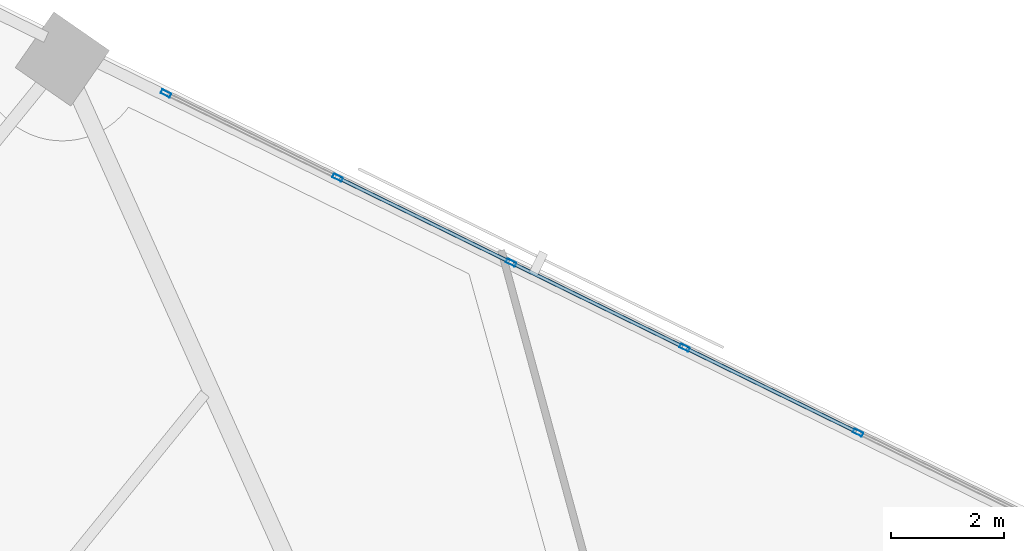
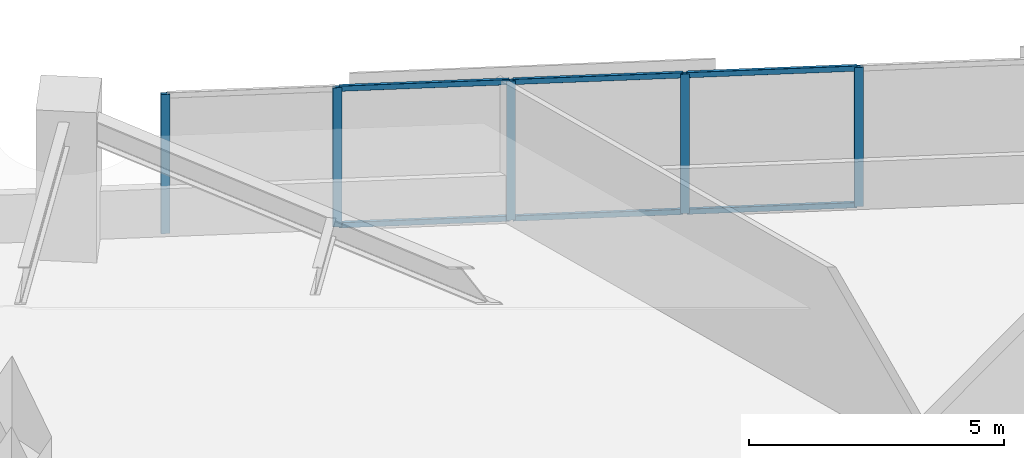
# One storey, part 10 of 18: 11 members, 1 element without a shape of its own.
"""IFC4 building model written with IfcOpenShell, lengths in metres."""

from ifc_helpers import new_model, si_unit, direction, frame, origin, origin_2d, place, context, subcontext, project, spatial, hollow_rectangle, extrude, material, material_profile, profile_set, type_object, element, aggregate, save


model = new_model("IFC4")

# Units and contexts
model_context = context("Model", 3, precision=1e-05, world=origin(), true_north=direction((0.0, 1.0)))
body_context = subcontext(model_context, "Body", "Model", "MODEL_VIEW")
ifc_project = project(units=[si_unit("LENGTHUNIT", "METRE"), si_unit("AREAUNIT", "SQUARE_METRE"), si_unit("VOLUMEUNIT", "CUBIC_METRE"), si_unit("PLANEANGLEUNIT", "RADIAN"), si_unit("MASSUNIT", "GRAM", prefix="KILO")], contexts=[model_context])

# Site, building, storey
site_placement = place(None, origin())
site = spatial("IfcSite", under=ifc_project, at=site_placement, CompositionType="ELEMENT")
building_placement = place(site_placement, origin())
building = spatial("IfcBuilding", under=site, at=building_placement, Name="Narakoshi Arena Tower", CompositionType="ELEMENT")
storey_placement = place(building_placement, frame((0.0, 0.0, 110.10009765625)))
storey = spatial("IfcBuildingStorey", under=building, at=storey_placement, Name="L29", CompositionType="ELEMENT", Elevation=110.10009765625)

# Curtain wall, members
ifc_material = material(Name="Anodised bronze aluminium 6063-T6", Category="aluminium")
curtain_wall_type = type_object("IfcCurtainWallType", Name="CW-HYP-LOW", PredefinedType="NOTDEFINED", material=ifc_material)
curtain_wall_placement = place(storey_placement, origin())
curtain_wall = element("IfcCurtainWall", 1, at=curtain_wall_placement, inside=storey, type_object=curtain_wall_type, Name="L29 Folded Hypotenuse Curtain Wall 2-1", PredefinedType="NOTDEFINED")
ifc_material_profile_1 = material_profile(ifc_material, hollow_rectangle(XDim=0.074951171875, YDim=0.179931640625, WallThickness=0.00390625, OuterFilletRadius=0.0048828125, at=origin_2d()), Name="MUL180x75x4")
ifc_profile_set_1 = profile_set([ifc_material_profile_1], Name="Anodised bronze aluminium 6063-T6")
member_type_1 = type_object("IfcMemberType", Name="MEM-MUL-180", PredefinedType="MULLION", material=ifc_profile_set_1)
member_1_placement = place(storey_placement, frame((78.41259765625, 67.01611328125, 0.0), z_axis=(0.0, 0.0, 1.0), x_axis=(-0.440004510198, -0.89799556291, 0.0)))
member_1 = element("IfcMember", 2, at=member_1_placement, type_object=member_type_1, Name="CW-01 mullion 4", PredefinedType="MULLION", context=body_context, shape_type="SweptSolid", body=[
    extrude(hollow_rectangle(XDim=0.074951171875, YDim=0.179931640625, WallThickness=0.00390625, OuterFilletRadius=0.0048828125, at=origin_2d()), origin(), (0.0, 0.0, 1.0), 3.33984375),
])
member_2_placement = place(storey_placement, frame((75.33935546875, 68.52197265625, 0.0), z_axis=(0.0, 0.0, 1.0), x_axis=(-0.440004510198, -0.89799556291, 0.0)))
member_2 = element("IfcMember", 3, at=member_2_placement, type_object=member_type_1, Name="CW-01 mullion 5", PredefinedType="MULLION", context=body_context, shape_type="SweptSolid", body=[
    extrude(hollow_rectangle(XDim=0.074951171875, YDim=0.179931640625, WallThickness=0.00390625, OuterFilletRadius=0.0048828125, at=origin_2d()), origin(), (0.0, 0.0, 1.0), 3.33984375),
])
member_3_placement = place(storey_placement, frame((72.26611328125, 70.028076171875, 0.0), z_axis=(0.0, 0.0, 1.0), x_axis=(-0.440004510198, -0.89799556291, 0.0)))
member_3 = element("IfcMember", 4, at=member_3_placement, type_object=member_type_1, Name="CW-01 mullion 6", PredefinedType="MULLION", context=body_context, shape_type="SweptSolid", body=[
    extrude(hollow_rectangle(XDim=0.074951171875, YDim=0.179931640625, WallThickness=0.00390625, OuterFilletRadius=0.0048828125, at=origin_2d()), origin(), (0.0, 0.0, 1.0), 3.33984375),
])
member_4_placement = place(storey_placement, frame((69.19287109375, 71.533935546875, 0.0), z_axis=(0.0, 0.0, 1.0), x_axis=(-0.440004510198, -0.89799556291, 0.0)))
member_4 = element("IfcMember", 5, at=member_4_placement, type_object=member_type_1, Name="CW-01 mullion 7", PredefinedType="MULLION", context=body_context, shape_type="SweptSolid", body=[
    extrude(hollow_rectangle(XDim=0.074951171875, YDim=0.179931640625, WallThickness=0.00390625, OuterFilletRadius=0.0048828125, at=origin_2d()), origin(), (0.0, 0.0, 1.0), 3.33984375),
])
member_5_placement = place(storey_placement, frame((66.153076171875, 73.023193359375, 0.0), z_axis=(0.0, 0.0, 1.0), x_axis=(-0.440004510198, -0.89799556291, 0.0)))
member_5 = element("IfcMember", 6, at=member_5_placement, type_object=member_type_1, Name="CW-01 mullion 8", PredefinedType="MULLION", context=body_context, shape_type="SweptSolid", body=[
    extrude(hollow_rectangle(XDim=0.074951171875, YDim=0.179931640625, WallThickness=0.00390625, OuterFilletRadius=0.0048828125, at=origin_2d()), origin(), (0.0, 0.0, 1.0), 3.33984375),
])
ifc_material_profile_2 = material_profile(ifc_material, hollow_rectangle(XDim=0.06494140625, YDim=0.1298828125, WallThickness=0.00390625, OuterFilletRadius=0.0048828125, at=origin_2d()), Name="TRN130x65x4")
ifc_profile_set_2 = profile_set([ifc_material_profile_2], Name="Anodised bronze aluminium 6063-T6")
member_type_2 = type_object("IfcMemberType", Name="MEM-TRN-130", PredefinedType="USERDEFINED", material=ifc_profile_set_2)
member_6_placement = place(storey_placement, frame((78.37890625, 67.03271484375, 0.032470703125), z_axis=(-0.897986843255, 0.440022305503, 0.0), x_axis=(-0.440022305503, -0.897986843255, 0.0)))
member_6 = element("IfcMember", 7, at=member_6_placement, type_object=member_type_2, Name="CW-01 transom 4.1", ObjectType="TRANSOM", PredefinedType="USERDEFINED", context=body_context, shape_type="SweptSolid", body=[
    extrude(hollow_rectangle(XDim=0.06494140625, YDim=0.1298828125, WallThickness=0.00390625, OuterFilletRadius=0.0048828125, at=origin_2d()), origin(), (0.0, 0.0, 1.0), 3.347412109375),
])
member_7_placement = place(storey_placement, frame((78.37890625, 67.03271484375, 3.307373046875), z_axis=(-0.897986843255, 0.440022305503, 0.0), x_axis=(-0.440022305503, -0.897986843255, 0.0)))
member_7 = element("IfcMember", 8, at=member_7_placement, type_object=member_type_2, Name="CW-01 transom 4.2", ObjectType="TRANSOM", PredefinedType="USERDEFINED", context=body_context, shape_type="SweptSolid", body=[
    extrude(hollow_rectangle(XDim=0.06494140625, YDim=0.1298828125, WallThickness=0.00390625, OuterFilletRadius=0.0048828125, at=origin_2d()), origin(), (0.0, 0.0, 1.0), 3.347412109375),
])
member_8_placement = place(storey_placement, frame((75.3056640625, 68.53857421875, 0.032470703125), z_axis=(-0.897986843255, 0.440022305503, 0.0), x_axis=(-0.440022305503, -0.897986843255, 0.0)))
member_8 = element("IfcMember", 9, at=member_8_placement, type_object=member_type_2, Name="CW-01 transom 5.1", ObjectType="TRANSOM", PredefinedType="USERDEFINED", context=body_context, shape_type="SweptSolid", body=[
    extrude(hollow_rectangle(XDim=0.06494140625, YDim=0.1298828125, WallThickness=0.00390625, OuterFilletRadius=0.0048828125, at=origin_2d()), origin(), (0.0, 0.0, 1.0), 3.347412109375),
])
member_9_placement = place(storey_placement, frame((75.3056640625, 68.53857421875, 3.307373046875), z_axis=(-0.897986843255, 0.440022305503, 0.0), x_axis=(-0.440022305503, -0.897986843255, 0.0)))
member_9 = element("IfcMember", 10, at=member_9_placement, type_object=member_type_2, Name="CW-01 transom 5.2", ObjectType="TRANSOM", PredefinedType="USERDEFINED", context=body_context, shape_type="SweptSolid", body=[
    extrude(hollow_rectangle(XDim=0.06494140625, YDim=0.1298828125, WallThickness=0.00390625, OuterFilletRadius=0.0048828125, at=origin_2d()), origin(), (0.0, 0.0, 1.0), 3.347412109375),
])
member_10_placement = place(storey_placement, frame((72.232421875, 70.04443359375, 0.032470703125), z_axis=(-0.897986843255, 0.440022305503, 0.0), x_axis=(-0.440022305503, -0.897986843255, 0.0)))
member_10 = element("IfcMember", 11, at=member_10_placement, type_object=member_type_2, Name="CW-01 transom 6.1", ObjectType="TRANSOM", PredefinedType="USERDEFINED", context=body_context, shape_type="SweptSolid", body=[
    extrude(hollow_rectangle(XDim=0.06494140625, YDim=0.1298828125, WallThickness=0.00390625, OuterFilletRadius=0.0048828125, at=origin_2d()), origin(), (0.0, 0.0, 1.0), 3.347412109375),
])
member_11_placement = place(storey_placement, frame((72.232421875, 70.04443359375, 3.307373046875), z_axis=(-0.897986843255, 0.440022305503, 0.0), x_axis=(-0.440022305503, -0.897986843255, 0.0)))
member_11 = element("IfcMember", 12, at=member_11_placement, type_object=member_type_2, Name="CW-01 transom 6.2", ObjectType="TRANSOM", PredefinedType="USERDEFINED", context=body_context, shape_type="SweptSolid", body=[
    extrude(hollow_rectangle(XDim=0.06494140625, YDim=0.1298828125, WallThickness=0.00390625, OuterFilletRadius=0.0048828125, at=origin_2d()), origin(), (0.0, 0.0, 1.0), 3.347412109375),
])
aggregate(curtain_wall, [member_1, member_2, member_3, member_4, member_5, member_6, member_7, member_8, member_9, member_10, member_11])

save(model, "model.ifc")
